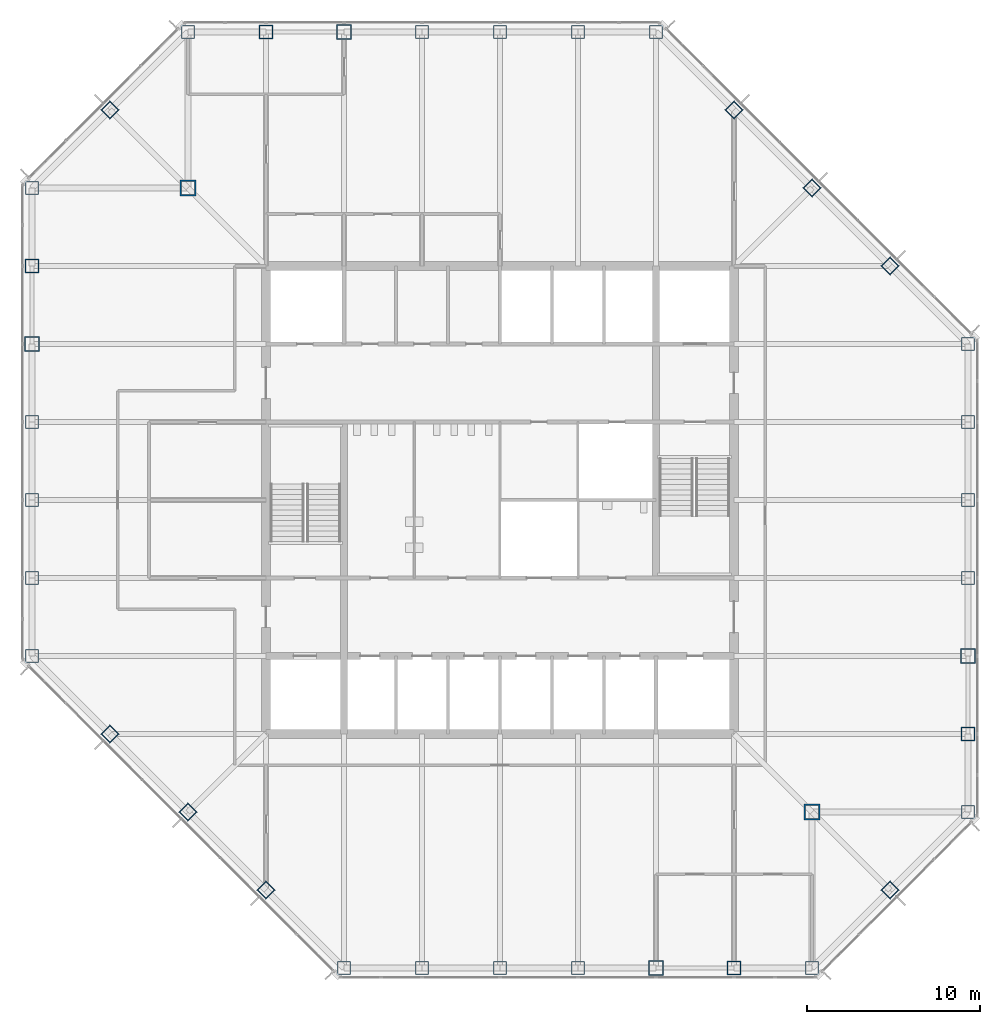
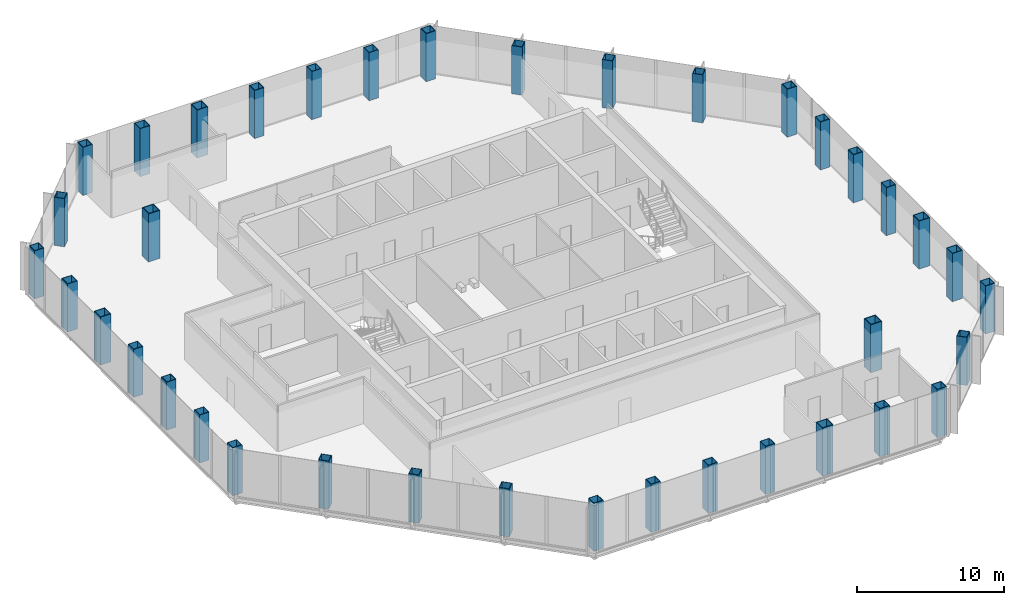
# One storey, part 1 of 12: 38 columns.
"""IFC4 building model written with IfcOpenShell, lengths in metres."""

from ifc_helpers import new_model, si_unit, direction, frame, origin, origin_2d, place, context, subcontext, project, spatial, hollow_rectangle, extrude, material, material_profile, profile_set, type_object, element, save


model = new_model("IFC4")

# Units and contexts
model_context = context("Model", 3, precision=1e-05, world=origin(), true_north=direction((0.0, 1.0)))
body_context = subcontext(model_context, "Body", "Model", "MODEL_VIEW")
ifc_project = project(units=[si_unit("LENGTHUNIT", "METRE"), si_unit("AREAUNIT", "SQUARE_METRE"), si_unit("VOLUMEUNIT", "CUBIC_METRE"), si_unit("PLANEANGLEUNIT", "RADIAN"), si_unit("MASSUNIT", "GRAM", prefix="KILO")], contexts=[model_context])

# Site, building, storey
site_placement = place(None, origin())
site = spatial("IfcSite", under=ifc_project, at=site_placement, CompositionType="ELEMENT")
building_placement = place(site_placement, origin())
building = spatial("IfcBuilding", under=site, at=building_placement, Name="Corais Broadcast Tower", CompositionType="ELEMENT")
storey_placement = place(building_placement, frame((0.0, 0.0, 127.60009765625)))
storey = spatial("IfcBuildingStorey", under=building, at=storey_placement, Name="L28", CompositionType="ELEMENT", Elevation=127.60009765625)

# Columns
ifc_material_1 = material(Name="Steel ASTM A572 Grade 50", Category="steel")
ifc_material_profile_1 = material_profile(ifc_material_1, hollow_rectangle(XDim=0.75, YDim=0.75, WallThickness=0.0400390625, at=origin_2d()), Name="BOX 750x750x40")
ifc_profile_set_1 = profile_set([ifc_material_profile_1], Name="Steel ASTM A572 Grade 50")
column_type_1 = type_object("IfcColumnType", Name="Column BOX 750x750x40", PredefinedType="COLUMN", material=ifc_profile_set_1)
for number, where, z_axis, x_axis, name in (
    (1, (18.0, 0.0, 0.0), (0.0, 0.0, 1.0), (1.0, 0.0, 0.0), "C4 A/7"),
    (2, (22.5, 0.0, 0.0), (0.0, 0.0, 1.0), (1.0, 0.0, 0.0), "C4 A/8"),
    (3, (27.0, 0.0, 0.0), (0.0, 0.0, 1.0), (1.0, 0.0, 0.0), "C4 A/9"),
    (4, (31.5, 0.0, 0.0), (0.0, 0.0, 1.0), (1.0, 0.0, 0.0), "C4 A/10"),
    (5, (45.0, 0.0, 0.0), (0.0, 0.0, 1.0), (1.0, 0.0, 0.0), "C4 A/13"),
    (6, (54.0, 9.0, 0.0), (0.0, 0.0, 1.0), (1.0, 0.0, 0.0), "C4 C/15"),
    (7, (54.0, 22.5, 0.0), (0.0, 0.0, 1.0), (1.0, 0.0, 0.0), "C4 F/15"),
    (8, (54.0, 27.0, 0.0), (0.0, 0.0, 1.0), (1.0, 0.0, 0.0), "C4 G/15"),
    (9, (54.0, 31.5, 0.0), (0.0, 0.0, 1.0), (1.0, 0.0, 0.0), "C4 H/15"),
    (10, (54.0, 36.0, 0.0), (0.0, 0.0, 1.0), (1.0, 0.0, 0.0), "C4 J/15"),
    (11, (36.0, 54.0, 0.0), (0.0, 0.0, 1.0), (1.0, 0.0, 0.0), "C4 N/11"),
    (12, (31.5, 54.0, 0.0), (0.0, 0.0, 1.0), (1.0, 0.0, 0.0), "C4 N/10"),
    (13, (27.0, 54.0, 0.0), (0.0, 0.0, 1.0), (1.0, 0.0, 0.0), "C4 N/9"),
    (14, (22.5, 54.0, 0.0), (0.0, 0.0, 1.0), (1.0, 0.0, 0.0), "C4 N/8"),
    (15, (9.0, 54.0, 0.0), (0.0, 0.0, 1.0), (1.0, 0.0, 0.0), "C4 N/5"),
    (16, (0.0, 45.0, 0.0), (0.0, 0.0, 1.0), (1.0, 0.0, 0.0), "C4 L/3"),
    (17, (0.0, 31.5, 0.0), (0.0, 0.0, 1.0), (1.0, 0.0, 0.0), "C4 H/3"),
    (18, (0.0, 27.0, 0.0), (0.0, 0.0, 1.0), (1.0, 0.0, 0.0), "C4 G/3"),
    (19, (0.0, 22.5, 0.0), (0.0, 0.0, 1.0), (1.0, 0.0, 0.0), "C4 F/3"),
    (20, (0.0, 18.0, 0.0), (0.0, 0.0, 1.0), (1.0, 0.0, 0.0), "C4 E/3"),
    (21, (13.5, 4.5, 0.0), (0.0, 0.0, 1.0), (0.707106781187, 0.707106781187, 0.0), "C4 B/6"),
    (22, (9.0, 9.0, 0.0), (0.0, 0.0, 1.0), (0.707106781187, 0.707106781187, 0.0), "C4 C/5"),
    (23, (4.5, 13.5, 0.0), (0.0, 0.0, 1.0), (0.707106781187, 0.707106781187, 0.0), "C4 D/4"),
    (24, (49.5, 4.5, 0.0), (0.0, 0.0, 1.0), (0.707106781187, 0.707106781187, 0.0), "C4 B/14"),
    (25, (49.5, 40.5, 0.0), (0.0, 0.0, 1.0), (0.707106781187, 0.707106781187, 0.0), "C4 K/14"),
    (26, (45.0, 45.0, 0.0), (0.0, 0.0, 1.0), (0.707106781187, 0.707106781187, 0.0), "C4 L/13"),
    (27, (40.5, 49.5, 0.0), (0.0, 0.0, 1.0), (0.707106781187, 0.707106781187, 0.0), "C4 M/12"),
    (28, (4.5, 49.5, 0.0), (0.0, 0.0, 1.0), (0.707106781187, 0.707106781187, 0.0), "C4 M/4"),
):
    element("IfcColumn", number, at=place(storey_placement, frame(where, z_axis=z_axis, x_axis=x_axis)), inside=storey, type_object=column_type_1, Name=name, PredefinedType="COLUMN", context=body_context, shape_type="SweptSolid", body=[
        extrude(hollow_rectangle(XDim=0.75, YDim=0.75, WallThickness=0.0400390625, at=origin_2d()), origin(), (0.0, 0.0, 1.0), 4.0),
    ])
ifc_material_2 = material(Name="Steel ASTM A572 Grade 50", Category="steel")
ifc_material_profile_2 = material_profile(ifc_material_2, hollow_rectangle(XDim=0.800048828125, YDim=0.800048828125, WallThickness=0.044921875, at=origin_2d()), Name="BOX 800x800x45")
ifc_profile_set_2 = profile_set([ifc_material_profile_2], Name="Steel ASTM A572 Grade 50")
column_type_2 = type_object("IfcColumnType", Name="Column BOX 800x800x45", PredefinedType="COLUMN", material=ifc_profile_set_2)
for number, where, z_axis, x_axis, name in (
    (29, (40.5, 0.0, 0.0), (0.0, 0.0, 1.0), (1.0, 0.0, 0.0), "C3 A/12"),
    (30, (54.0, 13.5, 0.0), (0.0, 0.0, 1.0), (1.0, 0.0, 0.0), "C3 D/15"),
    (31, (13.5, 54.0, 0.0), (0.0, 0.0, 1.0), (1.0, 0.0, 0.0), "C3 N/6"),
    (32, (0.0, 40.5, 0.0), (0.0, 0.0, 1.0), (1.0, 0.0, 0.0), "C3 K/3"),
):
    element("IfcColumn", number, at=place(storey_placement, frame(where, z_axis=z_axis, x_axis=x_axis)), inside=storey, type_object=column_type_2, Name=name, PredefinedType="COLUMN", context=body_context, shape_type="SweptSolid", body=[
        extrude(hollow_rectangle(XDim=0.800048828125, YDim=0.800048828125, WallThickness=0.044921875, at=origin_2d()), origin(), (0.0, 0.0, 1.0), 4.0),
    ])
ifc_material_3 = material(Name="Steel ASTM A572 Grade 50", Category="steel")
ifc_material_profile_3 = material_profile(ifc_material_3, hollow_rectangle(XDim=0.85009765625, YDim=0.85009765625, WallThickness=0.050048828125, at=origin_2d()), Name="BOX 850x850x50")
ifc_profile_set_3 = profile_set([ifc_material_profile_3], Name="Steel ASTM A572 Grade 50")
column_type_3 = type_object("IfcColumnType", Name="Column BOX 850x850x50", PredefinedType="COLUMN", material=ifc_profile_set_3)
for number, where, z_axis, x_axis, name in (
    (33, (36.0, 0.0, 0.0), (0.0, 0.0, 1.0), (1.0, 0.0, 0.0), "C1 A/11"),
    (34, (54.0, 18.0, 0.0), (0.0, 0.0, 1.0), (1.0, 0.0, 0.0), "C1 E/15"),
    (35, (18.0, 54.0, 0.0), (0.0, 0.0, 1.0), (1.0, 0.0, 0.0), "C1 N/7"),
    (36, (0.0, 36.0, 0.0), (0.0, 0.0, 1.0), (1.0, 0.0, 0.0), "C1 J/3"),
):
    element("IfcColumn", number, at=place(storey_placement, frame(where, z_axis=z_axis, x_axis=x_axis)), inside=storey, type_object=column_type_3, Name=name, PredefinedType="COLUMN", context=body_context, shape_type="SweptSolid", body=[
        extrude(hollow_rectangle(XDim=0.85009765625, YDim=0.85009765625, WallThickness=0.050048828125, at=origin_2d()), origin(), (0.0, 0.0, 1.0), 4.0),
    ])
ifc_material_4 = material(Name="Steel ASTM A572 Grade 50", Category="steel")
ifc_material_profile_4 = material_profile(ifc_material_4, hollow_rectangle(XDim=0.89990234375, YDim=0.89990234375, WallThickness=0.06298828125, at=origin_2d()), Name="BOX 900x900x63")
ifc_profile_set_4 = profile_set([ifc_material_profile_4], Name="Steel ASTM A572 Grade 50")
column_type_4 = type_object("IfcColumnType", Name="Column BOX 900x900x63", PredefinedType="COLUMN", material=ifc_profile_set_4)
for number, where, z_axis, x_axis, name in (
    (37, (45.0, 9.0, 0.0), (0.0, 0.0, 1.0), (1.0, 0.0, 0.0), "C2 C/13"),
    (38, (9.0, 45.0, 0.0), (0.0, 0.0, 1.0), (1.0, 0.0, 0.0), "C2 L/5"),
):
    element("IfcColumn", number, at=place(storey_placement, frame(where, z_axis=z_axis, x_axis=x_axis)), inside=storey, type_object=column_type_4, Name=name, PredefinedType="COLUMN", context=body_context, shape_type="SweptSolid", body=[
        extrude(hollow_rectangle(XDim=0.89990234375, YDim=0.89990234375, WallThickness=0.06298828125, at=origin_2d()), origin(), (0.0, 0.0, 1.0), 4.0),
    ])

save(model, "model.ifc")
